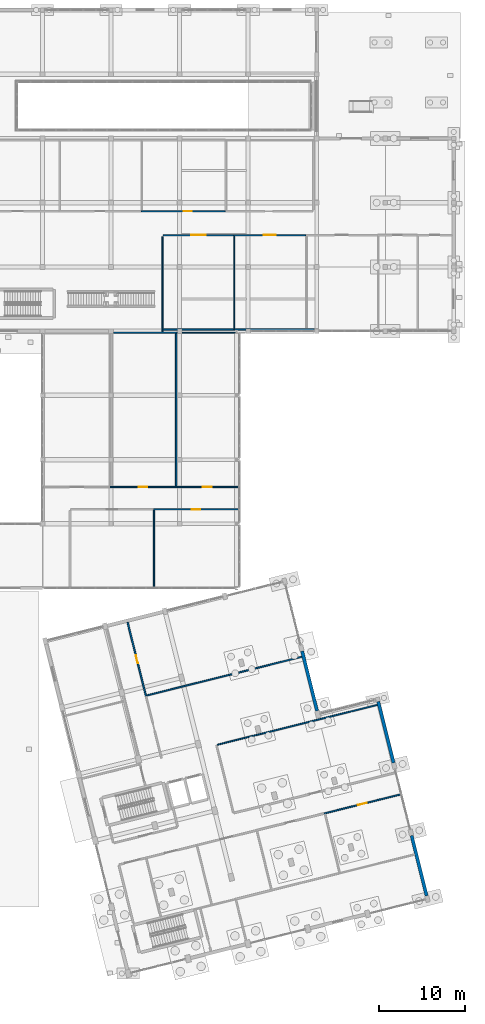
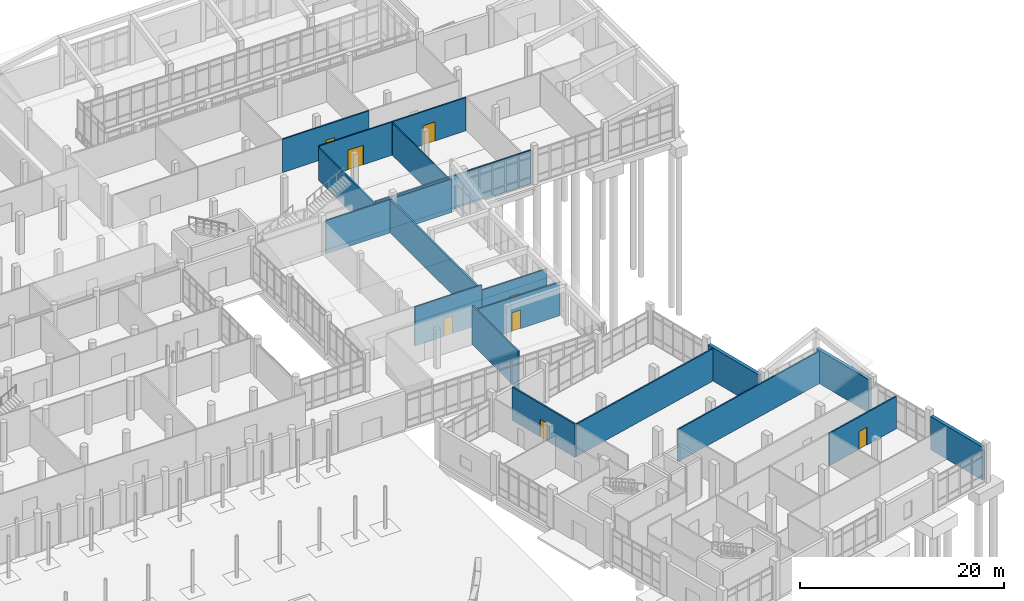
# One storey, part 159 of 173: 21 walls, 8 doors, 8 openings.
"""IFC4 building model written with IfcOpenShell, lengths in metres."""

from ifc_helpers import new_model, si_unit, direction, frame, frame_2d, origin, place, context, subcontext, project, spatial, rectangle, extrude, material, layer, layer_set, type_object, element, fill, save


model = new_model("IFC4")

# Units and contexts
model_context = context("Model", 3, precision=1e-05, world=origin(), true_north=direction((0.0, 1.0)))
body_context = subcontext(model_context, "Body", "Model", "MODEL_VIEW")
ifc_project = project(units=[si_unit("LENGTHUNIT", "METRE"), si_unit("AREAUNIT", "SQUARE_METRE"), si_unit("VOLUMEUNIT", "CUBIC_METRE"), si_unit("PLANEANGLEUNIT", "RADIAN"), si_unit("MASSUNIT", "GRAM", prefix="KILO")], contexts=[model_context])

# Site, building, storey
site_placement = place(None, origin())
site = spatial("IfcSite", under=ifc_project, at=site_placement, CompositionType="ELEMENT")
building_placement = place(site_placement, origin())
building = spatial("IfcBuilding", under=site, at=building_placement, Name="Mawjan Specialist Oncology Clinic", CompositionType="ELEMENT")
storey_placement = place(building_placement, origin())
storey = spatial("IfcBuildingStorey", under=building, at=storey_placement, Name="L00", CompositionType="ELEMENT", Elevation=0.0)

# Walls
ifc_material_1 = material(Name="Precast concrete C40/50", Category="concrete")
ifc_layer_1 = layer(ifc_material_1, 0.3798828125, Name="Precast concrete C40/50", Category="concrete")
ifc_layer_set_1 = layer_set([ifc_layer_1], Name="Precast concrete C40/50")
wall_type_1 = type_object("IfcWallType", Name="EW-380", PredefinedType="SOLIDWALL", material=ifc_layer_set_1)
wall_1_placement = place(storey_placement, frame((155.18505859375, 32.5537109375, 0.0), z_axis=(0.0, 0.0, 1.0), x_axis=(0.241920240952, -0.970296138825, 0.0)))
element("IfcWall", 1, at=wall_1_placement, inside=storey, type_object=wall_type_1, Name="L00 Coral-Limestone Exterior Wall EW-L00-064", PredefinedType="SOLIDWALL", context=body_context, shape_type="SweptSolid", body=[
    extrude(rectangle(XDim=7.375, YDim=0.3798828125, at=frame_2d((3.6875, 0.0))), origin(), (0.0, 0.0, 1.0), 3.985107421875),
])
wall_2_placement = place(storey_placement, frame((159.0859375, 16.90771484375, 0.0), z_axis=(0.0, 0.0, 1.0), x_axis=(0.241917549853, -0.970296809782, 0.0)))
element("IfcWall", 2, at=wall_2_placement, inside=storey, type_object=wall_type_1, Name="L00 Coral-Limestone Exterior Wall EW-L00-065", PredefinedType="SOLIDWALL", context=body_context, shape_type="SweptSolid", body=[
    extrude(rectangle(XDim=7.25, YDim=0.3798828125, at=frame_2d((3.625, 0.0))), origin(), (0.0, 0.0, 1.0), 3.985107421875),
])
wall_3_placement = place(storey_placement, frame((146.293701171875, 38.452880859375, 0.0), z_axis=(0.0, 0.0, 1.0), x_axis=(0.241937193493, -0.970291911955, 0.0)))
element("IfcWall", 3, at=wall_3_placement, inside=storey, type_object=wall_type_1, Name="L00 Coral-Limestone Exterior Wall EW-L00-072", PredefinedType="SOLIDWALL", context=body_context, shape_type="SweptSolid", body=[
    extrude(rectangle(XDim=7.199951171875, YDim=0.3798828125, at=frame_2d((3.60009765625, 0.0))), origin(), (0.0, 0.0, 1.0), 3.985107421875),
])
ifc_material_2 = material(Name="Moisture-resistant washroom partition", Category="gypsum")
ifc_layer_2 = layer(ifc_material_2, 0.125, Name="Moisture-resistant washroom partition", Category="gypsum")
ifc_layer_set_2 = layer_set([ifc_layer_2], Name="Moisture-resistant washroom partition")
wall_type_2 = type_object("IfcWallType", Name="WP-125", PredefinedType="PARTITIONING", material=ifc_layer_set_2)
wall_4_placement = place(storey_placement, frame((132.205078125, 75.60009765625, 0.0), z_axis=(0.0, 0.0, 1.0), x_axis=(1.0, 0.0, 0.0)))
element("IfcWall", 4, at=wall_4_placement, inside=storey, type_object=wall_type_2, Name="L00 Interior Partition W-INT-L00-L03A-R", PredefinedType="PARTITIONING", context=body_context, shape_type="SweptSolid", body=[
    extrude(rectangle(XDim=6.343017578125, YDim=0.125, at=frame_2d((3.17138671875, 0.0))), origin(), (0.0, 0.0, 1.0), 3.985107421875),
])
wall_5_placement = place(storey_placement, frame((138.39990234375, 76.10205078125, 0.0), z_axis=(0.0, 0.0, 1.0), x_axis=(0.0, 1.0, 0.0)))
element("IfcWall", 5, at=wall_5_placement, inside=storey, type_object=wall_type_2, Name="L00 Interior Partition W-INT-L00-I01-D", PredefinedType="PARTITIONING", context=body_context, shape_type="SweptSolid", body=[
    extrude(rectangle(XDim=10.805908203125, YDim=0.125, at=frame_2d((5.40283203125, 0.0))), origin(), (0.0, 0.0, 1.0), 3.885009765625),
])

# Wall, opening, door
ifc_material_3 = material(Name="Acoustic gypsum clinical partition", Category="gypsum")
ifc_layer_3 = layer(ifc_material_3, 0.14990234375, Name="Acoustic gypsum clinical partition", Category="gypsum")
ifc_layer_set_3 = layer_set([ifc_layer_3], Name="Acoustic gypsum clinical partition")
wall_type_3 = type_object("IfcWallType", Name="WP-150", PredefinedType="PARTITIONING", material=ifc_layer_set_3)
wall_6_placement = place(storey_placement, frame((123.927001953125, 57.60009765625, 0.0), z_axis=(0.0, 0.0, 1.0), x_axis=(1.0, 0.0, 0.0)))
wall_6 = element("IfcWall", 6, at=wall_6_placement, inside=storey, type_object=wall_type_3, Name="L00 Interior Partition W-INT-L00-L02A-C", PredefinedType="PARTITIONING", context=body_context, shape_type="SweptSolid", body=[
    extrude(rectangle(XDim=7.587890625, YDim=0.14990234375, at=frame_2d((3.7939453125, 0.0))), origin(), (0.0, 0.0, 1.0), 4.669921875),
])
opening_1_placement = place(wall_6_placement, frame((3.2939453125, 0.0, 0.0)))
opening_1 = element("IfcOpeningElement", 7, at=opening_1_placement, cuts=wall_6, Name="Opening DI-100", PredefinedType="OPENING", context=body_context, shape_type="SweptSolid", body=[
    extrude(rectangle(XDim=1.0, YDim=2.14990234375, at=frame_2d((0.5, 1.074951171875))), frame((0.0, 0.0869140625, 0.0), z_axis=(0.0, -1.0, 0.0), x_axis=(1.0, 0.0, 0.0)), (0.0, 0.0, 1.0), 0.173828125),
])
ifc_material_4 = material(Name="Acoustic laminate hospital door leaf", Category="wood")
door_type_1 = type_object("IfcDoorType", Name="DI-100", OperationType="NOTDEFINED", PredefinedType="DOOR", material=ifc_material_4)
door_1_placement = place(opening_1_placement, origin())
door_1 = element("IfcDoor", 8, at=door_1_placement, inside=storey, type_object=door_type_1, Name="L00 Clinical Specimen Logistics Hub Door", OperationType="SINGLE_SWING_RIGHT", OverallHeight=2.14990234375, OverallWidth=1.0, PredefinedType="DOOR", context=body_context, shape_type="SweptSolid", body=[
    extrude(rectangle(XDim=1.0, YDim=2.14990234375, at=frame_2d((0.5, 1.074951171875))), frame((0.0, 0.02490234375, 0.0), z_axis=(0.0, -1.0, 0.0), x_axis=(1.0, 0.0, 0.0)), (0.0, 0.0, 1.0), 0.050048828125),
])
fill(opening_1, door_1)

wall_7_placement = place(storey_placement, frame((131.527099609375, 57.60009765625, 0.0), z_axis=(0.0, 0.0, 1.0), x_axis=(1.0, 0.0, 0.0)))
wall_7 = element("IfcWall", 9, at=wall_7_placement, inside=storey, type_object=wall_type_3, Name="L00 Interior Partition W-INT-L00-L03A-C", PredefinedType="PARTITIONING", context=body_context, shape_type="SweptSolid", body=[
    extrude(rectangle(XDim=7.370849609375, YDim=0.14990234375, at=frame_2d((3.685546875, 0.0))), origin(), (0.0, 0.0, 1.0), 4.017822265625),
])
opening_2_placement = place(wall_7_placement, frame((3.160400390625, 0.0, 0.0)))
opening_2 = element("IfcOpeningElement", 10, at=opening_2_placement, cuts=wall_7, Name="Opening DI-105", PredefinedType="OPENING", context=body_context, shape_type="SweptSolid", body=[
    extrude(rectangle(XDim=1.050048828125, YDim=2.14990234375, at=frame_2d((0.52490234375, 1.074951171875))), frame((0.0, 0.0869140625, 0.0), z_axis=(0.0, -1.0, 0.0), x_axis=(1.0, 0.0, 0.0)), (0.0, 0.0, 1.0), 0.173828125),
])
ifc_material_5 = material(Name="Acoustic laminate hospital door leaf", Category="wood")
door_type_2 = type_object("IfcDoorType", Name="DI-105", OperationType="NOTDEFINED", PredefinedType="DOOR", material=ifc_material_5)
door_2_placement = place(opening_2_placement, origin())
door_2 = element("IfcDoor", 11, at=door_2_placement, inside=storey, type_object=door_type_2, Name="L00 Medical Records Archive Door", OperationType="SINGLE_SWING_LEFT", OverallHeight=2.14990234375, OverallWidth=1.050048828125, PredefinedType="DOOR", context=body_context, shape_type="SweptSolid", body=[
    extrude(rectangle(XDim=1.050048828125, YDim=2.14990234375, at=frame_2d((0.52490234375, 1.074951171875))), frame((0.0, 0.02490234375, 0.0), z_axis=(0.0, -1.0, 0.0), x_axis=(1.0, 0.0, 0.0)), (0.0, 0.0, 1.0), 0.050048828125),
])
fill(opening_2, door_2)

wall_8_placement = place(storey_placement, frame((130.0849609375, 87.0, 0.0), z_axis=(0.0, 0.0, 1.0), x_axis=(1.0, 0.0, 0.0)))
wall_8 = element("IfcWall", 12, at=wall_8_placement, inside=storey, type_object=wall_type_3, Name="L00 Interior Partition W-INT-L00-I01-C", PredefinedType="PARTITIONING", context=body_context, shape_type="SweptSolid", body=[
    extrude(rectangle(XDim=8.22998046875, YDim=0.14990234375, at=frame_2d((4.114990234375, 0.0))), origin(), (0.0, 0.0, 1.0), 3.985107421875),
])
opening_3_placement = place(wall_8_placement, frame((3.2548828125, 0.0, 0.0)))
opening_3 = element("IfcOpeningElement", 13, at=opening_3_placement, cuts=wall_8, Name="Opening DC-172", PredefinedType="OPENING", context=body_context, shape_type="SweptSolid", body=[
    extrude(rectangle(XDim=1.719970703125, YDim=2.340087890625, at=frame_2d((0.85986328125, 1.169921875))), frame((0.0, 0.0869140625, 0.0), z_axis=(0.0, -1.0, 0.0), x_axis=(1.0, 0.0, 0.0)), (0.0, 0.0, 1.0), 0.173828125),
])
ifc_material_6 = material(Name="Acoustic laminate hospital door leaf", Category="wood")
door_type_3 = type_object("IfcDoorType", Name="DC-172", OperationType="NOTDEFINED", PredefinedType="DOOR", material=ifc_material_6)
door_3_placement = place(opening_3_placement, origin())
door_3 = element("IfcDoor", 14, at=door_3_placement, inside=storey, type_object=door_type_3, Name="L00 3T Wide-Bore MRI Diagnostic Imaging Door", OperationType="SINGLE_SWING_LEFT", OverallHeight=2.340087890625, OverallWidth=1.719970703125, PredefinedType="DOOR", context=body_context, shape_type="SweptSolid", body=[
    extrude(rectangle(XDim=1.719970703125, YDim=2.340087890625, at=frame_2d((0.85986328125, 1.169921875))), frame((0.0, 0.02490234375, 0.0), z_axis=(0.0, -1.0, 0.0), x_axis=(1.0, 0.0, 0.0)), (0.0, 0.0, 1.0), 0.050048828125),
])
fill(opening_3, door_3)

# Walls
wall_9_placement = place(storey_placement, frame((124.251953125, 75.60009765625, 0.0), z_axis=(0.0, 0.0, 1.0), x_axis=(1.0, 0.0, 0.0)))
element("IfcWall", 15, at=wall_9_placement, inside=storey, type_object=wall_type_3, Name="L00 Interior Partition W-INT-L00-L02A-R", PredefinedType="PARTITIONING", context=body_context, shape_type="SweptSolid", body=[
    extrude(rectangle(XDim=7.4609375, YDim=0.14990234375, at=frame_2d((3.73046875, 0.0))), origin(), (0.0, 0.0, 1.0), 3.985107421875),
])
wall_10_placement = place(storey_placement, frame((129.0, 45.902099609375, 0.0), z_axis=(0.0, 0.0, 1.0), x_axis=(0.0, 1.0, 0.0)))
element("IfcWall", 16, at=wall_10_placement, inside=storey, type_object=wall_type_3, Name="L00 Interior Partition W-INT-L00-L04A-D", PredefinedType="PARTITIONING", context=body_context, shape_type="SweptSolid", body=[
    extrude(rectangle(XDim=9.005859375, YDim=0.14990234375, at=frame_2d((4.5029296875, 0.0))), origin(), (0.0, 0.0, 1.0), 4.669921875),
])
wall_11_placement = place(storey_placement, frame((130.0, 75.68701171875, 0.0), z_axis=(0.0, 0.0, 1.0), x_axis=(0.0, 1.0, 0.0)))
element("IfcWall", 17, at=wall_11_placement, inside=storey, type_object=wall_type_3, Name="L00 Interior Partition W-INT-L00-I01-D0", PredefinedType="PARTITIONING", context=body_context, shape_type="SweptSolid", body=[
    extrude(rectangle(XDim=11.14794921875, YDim=0.14990234375, at=frame_2d((5.573974609375, 0.0))), origin(), (0.0, 0.0, 1.0), 3.885009765625),
])
wall_12_placement = place(storey_placement, frame((136.3828125, 27.505126953125, 0.0), z_axis=(0.0, 0.0, 1.0), x_axis=(0.970295884672, 0.241921260307, 0.0)))
element("IfcWall", 18, at=wall_12_placement, inside=storey, type_object=wall_type_3, Name="L00 Interior Partition W-RINT-L00-RDE1-N", PredefinedType="PARTITIONING", context=body_context, shape_type="SweptSolid", body=[
    extrude(rectangle(XDim=19.26318359375, YDim=0.14990234375, at=frame_2d((9.631591796875, 0.0))), origin(), (0.0, 0.0, 1.0), 3.885009765625),
])

# Wall, opening, door
ifc_material_7 = material(Name="Acoustic clinical twin-stud partition", Category="gypsum")
ifc_layer_4 = layer(ifc_material_7, 0.159912109375, Name="Acoustic clinical twin-stud partition", Category="gypsum")
ifc_layer_set_4 = layer_set([ifc_layer_4], Name="Acoustic clinical twin-stud partition")
wall_type_4 = type_object("IfcWallType", Name="WP-160", PredefinedType="PARTITIONING", material=ifc_layer_set_4)
wall_13_placement = place(storey_placement, frame((128.927001953125, 55.0, 0.0), z_axis=(0.0, 0.0, 1.0), x_axis=(1.0, 0.0, 0.0)))
wall_13 = element("IfcWall", 19, at=wall_13_placement, inside=storey, type_object=wall_type_4, Name="L00 Interior Partition W-INT-L00-L05A-C", PredefinedType="PARTITIONING", context=body_context, shape_type="SweptSolid", body=[
    extrude(rectangle(XDim=9.970947265625, YDim=0.159912109375, at=frame_2d((4.9853515625, 0.0))), origin(), (0.0, 0.0, 1.0), 4.017822265625),
])
opening_4_placement = place(wall_13_placement, frame((4.485595703125, 0.0, 0.0)))
opening_4 = element("IfcOpeningElement", 20, at=opening_4_placement, cuts=wall_13, Name="Opening DA-100", PredefinedType="OPENING", context=body_context, shape_type="SweptSolid", body=[
    extrude(rectangle(XDim=1.0, YDim=2.219970703125, at=frame_2d((0.5, 1.10986328125))), frame((0.0, 0.092041015625, 0.0), z_axis=(0.0, -1.0, 0.0), x_axis=(1.0, 0.0, 0.0)), (0.0, 0.0, 1.0), 0.183837890625),
])
ifc_material_8 = material(Name="Acoustic laminate hospital door leaf", Category="wood")
door_type_4 = type_object("IfcDoorType", Name="DA-100", OperationType="NOTDEFINED", PredefinedType="DOOR", material=ifc_material_8)
door_4_placement = place(opening_4_placement, origin())
door_4 = element("IfcDoor", 21, at=door_4_placement, inside=storey, type_object=door_type_4, Name="L00 Outpatient Courier Dispatch Room Door", OperationType="SINGLE_SWING_RIGHT", OverallHeight=2.219970703125, OverallWidth=1.0, PredefinedType="DOOR", context=body_context, shape_type="SweptSolid", body=[
    extrude(rectangle(XDim=1.0, YDim=2.219970703125, at=frame_2d((0.5, 1.10986328125))), frame((0.0, 0.02490234375, 0.0), z_axis=(0.0, -1.0, 0.0), x_axis=(1.0, 0.0, 0.0)), (0.0, 0.0, 1.0), 0.050048828125),
])
fill(opening_4, door_4)

wall_14_placement = place(storey_placement, frame((138.326904296875, 87.0, 0.0), z_axis=(0.0, 0.0, 1.0), x_axis=(1.0, 0.0, 0.0)))
wall_14 = element("IfcWall", 22, at=wall_14_placement, inside=storey, type_object=wall_type_4, Name="L00 Interior Partition W-INT-L00-I02-C", PredefinedType="PARTITIONING", context=body_context, shape_type="SweptSolid", body=[
    extrude(rectangle(XDim=8.38818359375, YDim=0.159912109375, at=frame_2d((4.194091796875, 0.0))), origin(), (0.0, 0.0, 1.0), 3.985107421875),
])
opening_5_placement = place(wall_14_placement, frame((3.50390625, 0.0, 0.0)))
opening_5 = element("IfcOpeningElement", 23, at=opening_5_placement, cuts=wall_14, Name="Opening DM-MRI", PredefinedType="OPENING", context=body_context, shape_type="SweptSolid", body=[
    extrude(rectangle(XDim=1.3798828125, YDim=2.300048828125, at=frame_2d((0.68994140625, 1.14990234375))), frame((0.0, 0.092041015625, 0.0), z_axis=(0.0, -1.0, 0.0), x_axis=(1.0, 0.0, 0.0)), (0.0, 0.0, 1.0), 0.183837890625),
])
ifc_material_9 = material(Name="Acoustic laminate hospital door leaf", Category="wood")
door_type_5 = type_object("IfcDoorType", Name="DM-MRI", OperationType="NOTDEFINED", PredefinedType="DOOR", material=ifc_material_9)
door_5_placement = place(opening_5_placement, origin())
door_5 = element("IfcDoor", 24, at=door_5_placement, inside=storey, type_object=door_type_5, Name="L00 1.5T Clinical MRI Magnet Suite Door", OperationType="SINGLE_SWING_RIGHT", OverallHeight=2.300048828125, OverallWidth=1.3798828125, PredefinedType="DOOR", context=body_context, shape_type="SweptSolid", body=[
    extrude(rectangle(XDim=1.3798828125, YDim=2.300048828125, at=frame_2d((0.68994140625, 1.14990234375))), frame((0.0, 0.02490234375, 0.0), z_axis=(0.0, -1.0, 0.0), x_axis=(1.0, 0.0, 0.0)), (0.0, 0.0, 1.0), 0.050048828125),
])
fill(opening_5, door_5)

wall_15_placement = place(storey_placement, frame((127.527099609375, 89.800048828125, 0.0), z_axis=(0.0, 0.0, 1.0), x_axis=(1.0, 0.0, 0.0)))
wall_15 = element("IfcWall", 25, at=wall_15_placement, inside=storey, type_object=wall_type_4, Name="L00 Interior Partition W-INT-L00-I07-C", PredefinedType="PARTITIONING", context=body_context, shape_type="SweptSolid", body=[
    extrude(rectangle(XDim=9.787841796875, YDim=0.159912109375, at=frame_2d((4.89404296875, 0.0))), origin(), (0.0, 0.0, 1.0), 3.985107421875),
])
opening_6_placement = place(wall_15_placement, frame((4.94921875, 0.0, 0.0)))
opening_6 = element("IfcOpeningElement", 26, at=opening_6_placement, cuts=wall_15, Name="Opening DA-95", PredefinedType="OPENING", context=body_context, shape_type="SweptSolid", body=[
    extrude(rectangle(XDim=0.949951171875, YDim=2.14990234375, at=frame_2d((0.47509765625, 1.074951171875))), frame((0.0, 0.092041015625, 0.0), z_axis=(0.0, -1.0, 0.0), x_axis=(1.0, 0.0, 0.0)), (0.0, 0.0, 1.0), 0.183837890625),
])
ifc_material_10 = material(Name="Acoustic laminate hospital door leaf", Category="wood")
door_type_6 = type_object("IfcDoorType", Name="DA-95", OperationType="NOTDEFINED", PredefinedType="DOOR", material=ifc_material_10)
door_6_placement = place(opening_6_placement, origin())
door_6 = element("IfcDoor", 27, at=door_6_placement, inside=storey, type_object=door_type_6, Name="L00 Dual-Energy Spectral CT Suite Door", OperationType="SINGLE_SWING_LEFT", OverallHeight=2.14990234375, OverallWidth=0.949951171875, PredefinedType="DOOR", context=body_context, shape_type="SweptSolid", body=[
    extrude(rectangle(XDim=0.949951171875, YDim=2.14990234375, at=frame_2d((0.47509765625, 1.074951171875))), frame((0.0, 0.02490234375, 0.0), z_axis=(0.0, -1.0, 0.0), x_axis=(1.0, 0.0, 0.0)), (0.0, 0.0, 1.0), 0.050048828125),
])
fill(opening_6, door_6)

wall_16_placement = place(storey_placement, frame((148.884765625, 19.491455078125, 0.0), z_axis=(0.0, 0.0, 1.0), x_axis=(0.970294203895, 0.241928001454, 0.0)))
wall_16 = element("IfcWall", 28, at=wall_16_placement, inside=storey, type_object=wall_type_4, Name="L00 Interior Partition W-RINT-L00-RDS5-N", PredefinedType="PARTITIONING", context=body_context, shape_type="SweptSolid", body=[
    extrude(rectangle(XDim=9.171142578125, YDim=0.159912109375, at=frame_2d((4.58544921875, 0.0))), origin(), (0.0, 0.0, 1.0), 3.885009765625),
])
opening_7_placement = place(wall_16_placement, frame((4.060546875, 0.0, 0.0)))
opening_7 = element("IfcOpeningElement", 29, at=opening_7_placement, cuts=wall_16, Name="Opening DI-105", PredefinedType="OPENING", context=body_context, shape_type="SweptSolid", body=[
    extrude(rectangle(XDim=1.050048828125, YDim=2.14990234375, at=frame_2d((0.52490234375, 1.074951171875))), frame((0.0, 0.092041015625, 0.0), z_axis=(0.0, -1.0, 0.0), x_axis=(1.0, 0.0, 0.0)), (0.0, 0.0, 1.0), 0.183837890625),
])
door_7_placement = place(opening_7_placement, origin())
door_7 = element("IfcDoor", 30, at=door_7_placement, inside=storey, type_object=door_type_2, Name="L00 Seminar Teaching Room Door", OperationType="SINGLE_SWING_RIGHT", OverallHeight=2.14990234375, OverallWidth=1.050048828125, PredefinedType="DOOR", context=body_context, shape_type="SweptSolid", body=[
    extrude(rectangle(XDim=1.050048828125, YDim=2.14990234375, at=frame_2d((0.52490234375, 1.074951171875))), frame((0.0, 0.02490234375, 0.0), z_axis=(0.0, -1.0, 0.0), x_axis=(1.0, 0.0, 0.0)), (0.0, 0.0, 1.0), 0.050048828125),
])
fill(opening_7, door_7)

# Wall
wall_17_placement = place(storey_placement, frame((128.161376953125, 33.26806640625, 0.0), z_axis=(0.0, 0.0, 1.0), x_axis=(0.970294807235, 0.241925581644, 0.0)))
element("IfcWall", 31, at=wall_17_placement, inside=storey, type_object=wall_type_4, Name="L00 Interior Partition W-RINT-L00-RNE1-N", PredefinedType="PARTITIONING", context=body_context, shape_type="SweptSolid", body=[
    extrude(rectangle(XDim=18.646240234375, YDim=0.159912109375, at=frame_2d((9.3232421875, 0.0))), origin(), (0.0, 0.0, 1.0), 3.885009765625),
])

# Wall, opening, door
ifc_material_11 = material(Name="Lead-lined radiation-shielded clinical partition", Category="gypsum")
ifc_layer_5 = layer(ifc_material_11, 0.179931640625, Name="Lead-lined radiation-shielded clinical partition", Category="gypsum")
ifc_layer_set_5 = layer_set([ifc_layer_5], Name="Lead-lined radiation-shielded clinical partition")
wall_type_5 = type_object("IfcWallType", Name="WP-180", PredefinedType="PARTITIONING", material=ifc_layer_set_5)
wall_18_placement = place(storey_placement, frame((128.080078125, 33.172607421875, 0.0), z_axis=(0.0, 0.0, 1.0), x_axis=(-0.241908804898, 0.970298990061, 0.0)))
wall_18 = element("IfcWall", 32, at=wall_18_placement, inside=storey, type_object=wall_type_5, Name="L00 Interior Partition W-RINT-L00-RNE2-W", PredefinedType="PARTITIONING", context=body_context, shape_type="SweptSolid", body=[
    extrude(rectangle(XDim=8.890380859375, YDim=0.179931640625, at=frame_2d((4.4453125, 0.0))), origin(), (0.0, 0.0, 1.0), 3.985107421875),
])
opening_8_placement = place(wall_18_placement, frame((3.955078125, 0.0, 0.0)))
opening_8 = element("IfcOpeningElement", 33, at=opening_8_placement, cuts=wall_18, Name="Opening DI-98", PredefinedType="OPENING", context=body_context, shape_type="SweptSolid", body=[
    extrude(rectangle(XDim=0.97998046875, YDim=2.1201171875, at=frame_2d((0.489990234375, 1.06005859375))), frame((0.0, 0.10205078125, 0.0), z_axis=(0.0, -1.0, 0.0), x_axis=(1.0, 0.0, 0.0)), (0.0, 0.0, 1.0), 0.203857421875),
])
ifc_material_12 = material(Name="Acoustic laminate hospital door leaf", Category="wood")
door_type_7 = type_object("IfcDoorType", Name="DI-98", OperationType="NOTDEFINED", PredefinedType="DOOR", material=ifc_material_12)
door_8_placement = place(opening_8_placement, origin())
door_8 = element("IfcDoor", 34, at=door_8_placement, inside=storey, type_object=door_type_7, Name="L00 Clinical Bioinformatics Research Suite Door", OperationType="SINGLE_SWING_RIGHT", OverallHeight=2.1201171875, OverallWidth=0.97998046875, PredefinedType="DOOR", context=body_context, shape_type="SweptSolid", body=[
    extrude(rectangle(XDim=0.97998046875, YDim=2.1201171875, at=frame_2d((0.489990234375, 1.06005859375))), frame((0.0, 0.02490234375, 0.0), z_axis=(0.0, -1.0, 0.0), x_axis=(1.0, 0.0, 0.0)), (0.0, 0.0, 1.0), 0.050048828125),
])
fill(opening_8, door_8)

# Walls
wall_19_placement = place(storey_placement, frame((130.0849609375, 76.0, 0.0), z_axis=(0.0, 0.0, 1.0), x_axis=(1.0, 0.0, 0.0)))
element("IfcWall", 35, at=wall_19_placement, inside=storey, type_object=wall_type_5, Name="L00 Interior Partition W-INT-L00-I01-R", PredefinedType="PARTITIONING", context=body_context, shape_type="SweptSolid", body=[
    extrude(rectangle(XDim=8.22998046875, YDim=0.179931640625, at=frame_2d((4.114990234375, 0.0))), origin(), (0.0, 0.0, 1.0), 3.985107421875),
])
wall_20_placement = place(storey_placement, frame((138.326904296875, 76.0, 0.0), z_axis=(0.0, 0.0, 1.0), x_axis=(1.0, 0.0, 0.0)))
element("IfcWall", 36, at=wall_20_placement, inside=storey, type_object=wall_type_5, Name="L00 Interior Partition W-INT-L00-I02-R", PredefinedType="PARTITIONING", context=body_context, shape_type="SweptSolid", body=[
    extrude(rectangle(XDim=9.385986328125, YDim=0.179931640625, at=frame_2d((4.69287109375, 0.0))), origin(), (0.0, 0.0, 1.0), 3.985107421875),
])
wall_21_placement = place(storey_placement, frame((131.60009765625, 57.68701171875, 0.0), z_axis=(0.0, 0.0, 1.0), x_axis=(0.0, 1.0, 0.0)))
element("IfcWall", 37, at=wall_21_placement, inside=storey, type_object=wall_type_5, Name="L00 Interior Partition W-INT-L00-L02A-D", PredefinedType="PARTITIONING", context=body_context, shape_type="SweptSolid", body=[
    extrude(rectangle(XDim=17.825927734375, YDim=0.179931640625, at=frame_2d((8.9130859375, 0.0))), origin(), (0.0, 0.0, 1.0), 3.985107421875),
])

save(model, "model.ifc")
